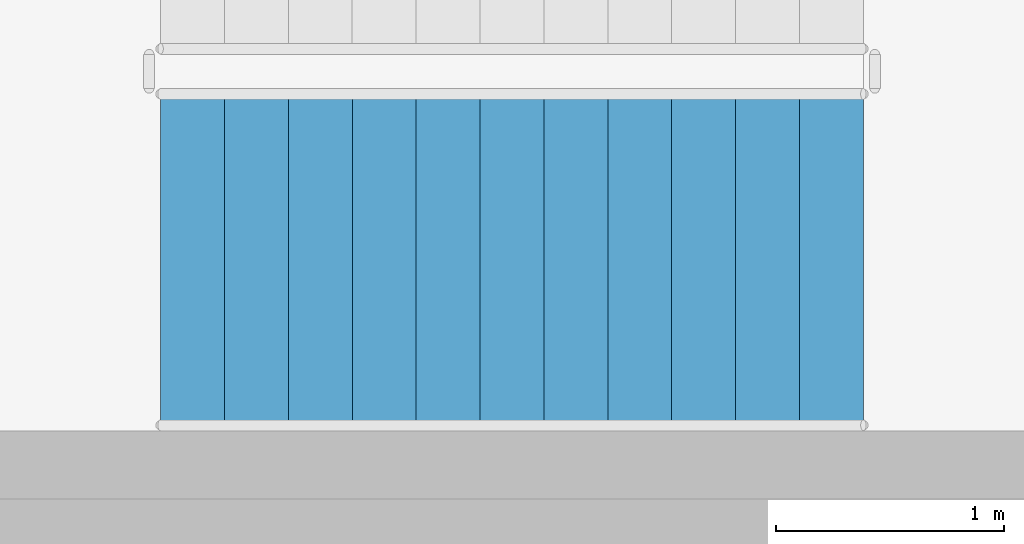
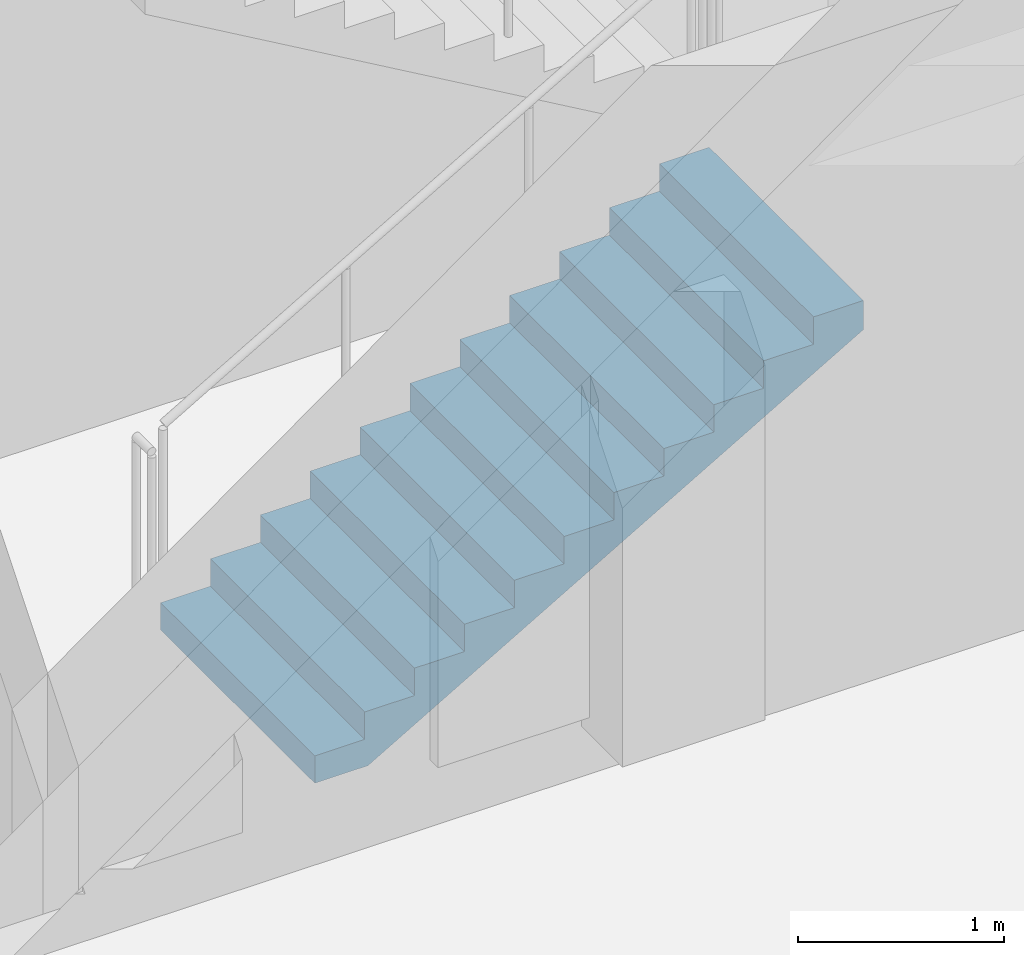
# One storey, part 83 of 95: 1 stair flight, 1 element without a shape of its own.
"""IFC4 building model written with IfcOpenShell, lengths in metres."""

from ifc_helpers import new_model, si_unit, direction, frame, origin, place, context, subcontext, project, spatial, triangles, material, type_object, element, aggregate, save


model = new_model("IFC4")

# Units and contexts
model_context = context("Model", 3, precision=1e-05, world=origin(), true_north=direction((0.0, 1.0)))
body_context = subcontext(model_context, "Body", "Model", "MODEL_VIEW")
ifc_project = project(units=[si_unit("LENGTHUNIT", "METRE"), si_unit("AREAUNIT", "SQUARE_METRE"), si_unit("VOLUMEUNIT", "CUBIC_METRE"), si_unit("PLANEANGLEUNIT", "RADIAN"), si_unit("MASSUNIT", "GRAM", prefix="KILO")], contexts=[model_context])

# Site, building, storey
site_placement = place(None, origin())
site = spatial("IfcSite", under=ifc_project, at=site_placement, CompositionType="ELEMENT")
building_placement = place(site_placement, origin())
building = spatial("IfcBuilding", under=site, at=building_placement, Name="Magnolia Steps Interchange", CompositionType="ELEMENT")
storey_placement = place(building_placement, frame((0.0, 0.0, 4.800048828125)))
storey = spatial("IfcBuildingStorey", under=building, at=storey_placement, Name="L01", CompositionType="ELEMENT", Elevation=4.800048828125)

# Stair, stair flight
ifc_material_1 = material(Name="Concrete C40", Category="concrete")
stair_type = type_object("IfcStairType", Name="Exit stair 1500", PredefinedType="HALF_TURN_STAIR", material=ifc_material_1)
stair_placement = place(storey_placement, origin())
stair = element("IfcStair", 1, at=stair_placement, inside=storey, type_object=stair_type, Name="L01 Stair 29", PredefinedType="HALF_TURN_STAIR")
ifc_material_2 = material(Name="Concrete C40", Category="concrete")
stair_flight_type = type_object("IfcStairFlightType", Name="Exit stair flight", PredefinedType="STRAIGHT", material=ifc_material_2)
stair_flight_placement = place(storey_placement, frame((112.85009765625, 97.60009765625, 0.0), z_axis=(0.0, 0.0, 1.0), x_axis=(1.0, 0.0, 0.0)))
stair_flight = element("IfcStairFlight", 2, at=stair_flight_placement, type_object=stair_flight_type, Name="Stair 29 flight 1", NumberOfRisers=12, NumberOfTreads=11, PredefinedType="STRAIGHT", RiserHeight=0.1625, TreadLength=0.28, context=body_context, shape_type="Tessellation", body=[
    triangles([(0.0, -0.75, 0.0), (0.298583984375, -0.75, 0.0), (3.080078125, -0.75, 1.6142578125), (3.080078125, -0.75, 1.78759765625), (2.800048828125, -0.75, 1.78759765625), (2.800048828125, -0.75, 1.625), (2.52001953125, -0.75, 1.625), (2.52001953125, -0.75, 1.46240234375), (2.239990234375, -0.75, 1.46240234375), (2.239990234375, -0.75, 1.300048828125), (1.9599609375, -0.75, 1.300048828125), (1.9599609375, -0.75, 1.137451171875), (1.679931640625, -0.75, 1.137451171875), (1.679931640625, -0.75, 0.97509765625), (1.39990234375, -0.75, 0.97509765625), (1.39990234375, -0.75, 0.8125), (1.1201171875, -0.75, 0.8125), (1.1201171875, -0.75, 0.64990234375), (0.840087890625, -0.75, 0.64990234375), (0.840087890625, -0.75, 0.487548828125), (0.56005859375, -0.75, 0.487548828125), (0.56005859375, -0.75, 0.324951171875), (0.280029296875, -0.75, 0.324951171875), (0.280029296875, -0.75, 0.16259765625), (0.0, -0.75, 0.16259765625), (0.0, 0.75, 0.0), (0.298583984375, 0.75, 0.0), (3.080078125, 0.75, 1.6142578125), (3.080078125, 0.75, 1.78759765625), (2.800048828125, 0.75, 1.78759765625), (2.800048828125, 0.75, 1.625), (2.52001953125, 0.75, 1.625), (2.52001953125, 0.75, 1.46240234375), (2.239990234375, 0.75, 1.46240234375), (2.239990234375, 0.75, 1.300048828125), (1.9599609375, 0.75, 1.300048828125), (1.9599609375, 0.75, 1.137451171875), (1.679931640625, 0.75, 1.137451171875), (1.679931640625, 0.75, 0.97509765625), (1.39990234375, 0.75, 0.97509765625), (1.39990234375, 0.75, 0.8125), (1.1201171875, 0.75, 0.8125), (1.1201171875, 0.75, 0.64990234375), (0.840087890625, 0.75, 0.64990234375), (0.840087890625, 0.75, 0.487548828125), (0.56005859375, 0.75, 0.487548828125), (0.56005859375, 0.75, 0.324951171875), (0.280029296875, 0.75, 0.324951171875), (0.280029296875, 0.75, 0.16259765625), (0.0, 0.75, 0.16259765625), (0.0, 0.0, 0.0), (0.0, 0.0, 0.0406494140625), (0.0, 0.0, 0.081298828125), (0.0, 0.0, 0.1219482421875), (0.0, 0.0, 0.16259765625), (0.0, -0.05, 0.0), (0.0, -0.05, 0.16259765625), (0.0, 0.05, 0.0), (0.0, 0.05, 0.16259765625), (0.046671549479166664, 0.0, 0.16259765625), (0.09334309895833333, 0.0, 0.16259765625), (0.1400146484375, 0.0, 0.16259765625), (0.18668619791666666, 0.0, 0.16259765625), (0.23335774739583334, 0.0, 0.16259765625), (0.280029296875, 0.0, 0.16259765625), (0.280029296875, -0.05, 0.16259765625), (0.280029296875, 0.05, 0.16259765625), (0.280029296875, 0.0, 0.20318603515625), (0.280029296875, 0.0, 0.2437744140625), (0.280029296875, 0.0, 0.28436279296875), (0.280029296875, 0.0, 0.324951171875), (0.280029296875, -0.05, 0.324951171875), (0.280029296875, 0.05, 0.324951171875), (0.3267008463541667, 0.0, 0.324951171875), (0.3733723958333333, 0.0, 0.324951171875), (0.4200439453125, 0.0, 0.324951171875), (0.46671549479166663, 0.0, 0.324951171875), (0.5133870442708334, 0.0, 0.324951171875), (0.56005859375, 0.0, 0.324951171875), (0.56005859375, -0.05, 0.324951171875), (0.56005859375, 0.05, 0.324951171875), (0.56005859375, 0.0, 0.3656005859375), (0.56005859375, 0.0, 0.40625), (0.56005859375, 0.0, 0.4468994140625), (0.56005859375, 0.0, 0.487548828125), (0.56005859375, -0.05, 0.487548828125), (0.56005859375, 0.05, 0.487548828125), (0.6067301432291666, 0.0, 0.487548828125), (0.6534016927083334, 0.0, 0.487548828125), (0.7000732421875, 0.0, 0.487548828125), (0.7467447916666666, 0.0, 0.487548828125), (0.7934163411458334, 0.0, 0.487548828125), (0.840087890625, 0.0, 0.487548828125), (0.840087890625, -0.05, 0.487548828125), (0.840087890625, 0.05, 0.487548828125), (0.840087890625, 0.0, 0.52813720703125), (0.840087890625, 0.0, 0.5687255859375), (0.840087890625, 0.0, 0.60931396484375), (0.840087890625, 0.0, 0.64990234375), (0.840087890625, -0.05, 0.64990234375), (0.840087890625, 0.05, 0.64990234375), (0.8867594401041666, 0.0, 0.64990234375), (0.9334309895833334, 0.0, 0.64990234375), (0.9801025390625, 0.0, 0.64990234375), (1.0267740885416667, 0.0, 0.64990234375), (1.0734456380208333, 0.0, 0.64990234375), (1.1201171875, 0.0, 0.64990234375), (1.1201171875, -0.05, 0.64990234375), (1.1201171875, 0.05, 0.64990234375), (1.1201171875, 0.0, 0.6905517578125), (1.1201171875, 0.0, 0.731201171875), (1.1201171875, 0.0, 0.7718505859375), (1.1201171875, 0.0, 0.8125), (1.1201171875, -0.05, 0.8125), (1.1201171875, 0.05, 0.8125), (1.1900634765625, 0.0, 0.8125), (1.260009765625, 0.0, 0.8125), (1.3299560546875, 0.0, 0.8125), (1.39990234375, 0.0, 0.8125), (1.39990234375, -0.05, 0.8125), (1.39990234375, 0.05, 0.8125), (1.39990234375, 0.0, 0.8531494140625), (1.39990234375, 0.0, 0.893798828125), (1.39990234375, 0.0, 0.9344482421875), (1.39990234375, 0.0, 0.97509765625), (1.39990234375, -0.05, 0.97509765625), (1.39990234375, 0.05, 0.97509765625), (1.4465738932291667, 0.0, 0.97509765625), (1.4932454427083333, 0.0, 0.97509765625), (1.5399169921875, 0.0, 0.97509765625), (1.5865885416666667, 0.0, 0.97509765625), (1.6332600911458333, 0.0, 0.97509765625), (1.679931640625, 0.0, 0.97509765625), (1.679931640625, -0.05, 0.97509765625), (1.679931640625, 0.05, 0.97509765625), (1.679931640625, 0.0, 1.01568603515625), (1.679931640625, 0.0, 1.0562744140625), (1.679931640625, 0.0, 1.09686279296875), (1.679931640625, 0.0, 1.137451171875), (1.679931640625, -0.05, 1.137451171875), (1.679931640625, 0.05, 1.137451171875), (1.7266031901041667, 0.0, 1.137451171875), (1.7732747395833333, 0.0, 1.137451171875), (1.8199462890625, 0.0, 1.137451171875), (1.8666178385416667, 0.0, 1.137451171875), (1.9132893880208333, 0.0, 1.137451171875), (1.9599609375, 0.0, 1.137451171875), (1.9599609375, -0.05, 1.137451171875), (1.9599609375, 0.05, 1.137451171875), (1.9599609375, 0.0, 1.1781005859375), (1.9599609375, 0.0, 1.21875), (1.9599609375, 0.0, 1.2593994140625), (1.9599609375, 0.0, 1.300048828125), (1.9599609375, -0.05, 1.300048828125), (1.9599609375, 0.05, 1.300048828125), (2.0066324869791665, 0.0, 1.300048828125), (2.0533040364583335, 0.0, 1.300048828125), (2.0999755859375, 0.0, 1.300048828125), (2.1466471354166665, 0.0, 1.300048828125), (2.1933186848958335, 0.0, 1.300048828125), (2.239990234375, 0.0, 1.300048828125), (2.239990234375, -0.05, 1.300048828125), (2.239990234375, 0.05, 1.300048828125), (2.239990234375, 0.0, 1.34063720703125), (2.239990234375, 0.0, 1.3812255859375), (2.239990234375, 0.0, 1.42181396484375), (2.239990234375, 0.0, 1.46240234375), (2.239990234375, -0.05, 1.46240234375), (2.239990234375, 0.05, 1.46240234375), (2.2866617838541665, 0.0, 1.46240234375), (2.3333333333333335, 0.0, 1.46240234375), (2.3800048828125, 0.0, 1.46240234375), (2.4266764322916665, 0.0, 1.46240234375), (2.4733479817708335, 0.0, 1.46240234375), (2.52001953125, 0.0, 1.46240234375), (2.52001953125, -0.05, 1.46240234375), (2.52001953125, 0.05, 1.46240234375), (2.52001953125, 0.0, 1.5030517578125), (2.52001953125, 0.0, 1.543701171875), (2.52001953125, 0.0, 1.5843505859375), (2.52001953125, 0.0, 1.625), (2.52001953125, -0.05, 1.625), (2.52001953125, 0.05, 1.625), (2.5666910807291665, 0.0, 1.625), (2.6133626302083335, 0.0, 1.625), (2.6600341796875, 0.0, 1.625), (2.7067057291666665, 0.0, 1.625), (2.7533772786458335, 0.0, 1.625), (2.800048828125, 0.0, 1.625), (2.800048828125, -0.05, 1.625), (2.800048828125, 0.05, 1.625), (2.800048828125, 0.0, 1.6656494140625), (2.800048828125, 0.0, 1.706298828125), (2.800048828125, 0.0, 1.7469482421875), (2.800048828125, 0.0, 1.78759765625), (2.800048828125, -0.05, 1.78759765625), (2.800048828125, 0.05, 1.78759765625), (2.8467203776041665, 0.0, 1.78759765625), (2.8933919270833335, 0.0, 1.78759765625), (2.9400634765625, 0.0, 1.78759765625), (2.9867350260416665, 0.0, 1.78759765625), (3.0334065755208335, 0.0, 1.78759765625), (3.080078125, 0.0, 1.78759765625), (3.080078125, -0.05, 1.78759765625), (3.080078125, 0.05, 1.78759765625), (3.080078125, 0.0, 1.7442626953125), (3.080078125, 0.0, 1.700927734375), (3.080078125, 0.0, 1.6575927734375), (3.080078125, 0.0, 1.6142578125), (3.080078125, -0.05, 1.6142578125), (3.080078125, 0.05, 1.6142578125), (3.0196108610733696, 0.0, 1.5791652513586956), (2.9591435971467392, 0.0, 1.5440726902173914), (2.898676333220109, 0.0, 1.508980129076087), (2.8382090692934785, 0.0, 1.4738875679347827), (2.7777418053668477, 0.0, 1.4387950067934783), (2.7172745414402173, 0.0, 1.4037024456521738), (2.656807277513587, 0.0, 1.3686098845108696), (2.5963400135869565, 0.0, 1.3335173233695652), (2.535872749660326, 0.0, 1.2984247622282608), (2.475405485733696, 0.0, 1.2633322010869565), (2.4149382218070654, 0.0, 1.228239639945652), (2.3544709578804346, 0.0, 1.193147078804348), (2.294003693953804, 0.0, 1.1580545176630435), (2.233536430027174, 0.0, 1.1229619565217392), (2.1730691661005435, 0.0, 1.0878693953804348), (2.112601902173913, 0.0, 1.0527768342391304), (2.0521346382472827, 0.0, 1.0176842730978262), (1.991667374320652, 0.0, 0.9825917119565217), (1.9312001103940217, 0.0, 0.9474991508152174), (1.8707328464673914, 0.0, 0.9124065896739131), (1.810265582540761, 0.0, 0.8773140285326086), (1.7497983186141304, 0.0, 0.8422214673913043), (1.6893310546875, 0.0, 0.80712890625), (1.6288637907608696, 0.0, 0.7720363451086957), (1.568396526834239, 0.0, 0.7369437839673914), (1.5079292629076086, 0.0, 0.7018512228260869), (1.4474619989809783, 0.0, 0.6667586616847826), (1.386994735054348, 0.0, 0.6316661005434783), (1.3265274711277173, 0.0, 0.5965735394021738), (1.266060207201087, 0.0, 0.5614809782608696), (1.2055929432744565, 0.0, 0.5263884171195652), (1.1451256793478262, 0.0, 0.491295855978261), (1.0846584154211956, 0.0, 0.45620329483695654), (1.0241911514945654, 0.0, 0.4211107336956521), (0.9637238875679346, 0.0, 0.3860181725543479), (0.9032566236413042, 0.0, 0.35092561141304346), (0.8427893597146738, 0.0, 0.315833050271739), (0.7823220957880435, 0.0, 0.2807404891304348), (0.7218548318614131, 0.0, 0.24564792798913038), (0.6613875679347827, 0.0, 0.21055536684782616), (0.6009203040081523, 0.0, 0.17546280570652173), (0.540453040081522, 0.0, 0.1403702445652173), (0.47998577615489113, 0.0, 0.10527768342391308), (0.41951851222826075, 0.0, 0.07018512228260865), (0.3590512483016304, 0.0, 0.035092561141304435), (0.298583984375, 0.0, 0.0), (0.298583984375, -0.05, 0.0), (0.298583984375, 0.05, 0.0), (0.24881998697916666, 0.0, 0.0), (0.19905598958333331, 0.0, 0.0), (0.1492919921875, 0.0, 0.0), (0.09952799479166666, 0.0, 0.0), (0.04976399739583334, 0.0, 0.0)], [[1, 2, 3], [3, 4, 5], [3, 5, 6], [3, 6, 7], [3, 7, 8], [8, 9, 10], [3, 8, 10], [10, 11, 12], [3, 10, 12], [12, 13, 14], [3, 12, 14], [14, 15, 16], [3, 14, 16], [16, 17, 18], [3, 16, 18], [18, 19, 20], [3, 18, 20], [20, 21, 22], [3, 20, 22], [1, 3, 22], [22, 23, 24], [1, 22, 24], [24, 25, 1], [26, 28, 27], [28, 30, 29], [28, 31, 30], [28, 32, 31], [28, 33, 32], [33, 35, 34], [28, 35, 33], [35, 37, 36], [28, 37, 35], [37, 39, 38], [28, 39, 37], [39, 41, 40], [28, 41, 39], [41, 43, 42], [28, 43, 41], [43, 45, 44], [28, 45, 43], [45, 47, 46], [28, 47, 45], [26, 47, 28], [47, 49, 48], [26, 49, 47], [49, 26, 50], [1, 25, 57], [1, 57, 56], [56, 52, 51], [56, 53, 52], [56, 57, 53], [57, 54, 53], [57, 55, 54], [26, 59, 50], [26, 58, 59], [58, 51, 52], [58, 52, 53], [58, 53, 59], [59, 53, 54], [59, 54, 55], [25, 24, 66], [25, 66, 57], [57, 60, 55], [57, 61, 60], [57, 62, 61], [57, 66, 62], [66, 63, 62], [66, 64, 63], [66, 65, 64], [50, 67, 49], [50, 59, 67], [59, 55, 60], [59, 60, 61], [59, 61, 62], [59, 62, 67], [67, 62, 63], [67, 63, 64], [67, 64, 65], [24, 23, 72], [24, 72, 66], [66, 68, 65], [66, 69, 68], [66, 72, 69], [72, 70, 69], [72, 71, 70], [49, 73, 48], [49, 67, 73], [67, 65, 68], [67, 68, 69], [67, 69, 73], [73, 69, 70], [73, 70, 71], [23, 22, 80], [23, 80, 72], [72, 74, 71], [72, 75, 74], [72, 76, 75], [72, 80, 76], [80, 77, 76], [80, 78, 77], [80, 79, 78], [48, 81, 47], [48, 73, 81], [73, 71, 74], [73, 74, 75], [73, 75, 76], [73, 76, 81], [81, 76, 77], [81, 77, 78], [81, 78, 79], [22, 21, 86], [22, 86, 80], [80, 82, 79], [80, 83, 82], [80, 86, 83], [86, 84, 83], [86, 85, 84], [47, 87, 46], [47, 81, 87], [81, 79, 82], [81, 82, 83], [81, 83, 87], [87, 83, 84], [87, 84, 85], [21, 20, 94], [21, 94, 86], [86, 88, 85], [86, 89, 88], [86, 90, 89], [86, 94, 90], [94, 91, 90], [94, 92, 91], [94, 93, 92], [46, 95, 45], [46, 87, 95], [87, 85, 88], [87, 88, 89], [87, 89, 90], [87, 90, 95], [95, 90, 91], [95, 91, 92], [95, 92, 93], [20, 19, 100], [20, 100, 94], [94, 96, 93], [94, 97, 96], [94, 100, 97], [100, 98, 97], [100, 99, 98], [45, 101, 44], [45, 95, 101], [95, 93, 96], [95, 96, 97], [95, 97, 101], [101, 97, 98], [101, 98, 99], [19, 18, 108], [19, 108, 100], [100, 102, 99], [100, 103, 102], [100, 104, 103], [100, 108, 104], [108, 105, 104], [108, 106, 105], [108, 107, 106], [44, 109, 43], [44, 101, 109], [101, 99, 102], [101, 102, 103], [101, 103, 104], [101, 104, 109], [109, 104, 105], [109, 105, 106], [109, 106, 107], [18, 17, 114], [18, 114, 108], [108, 110, 107], [108, 111, 110], [108, 114, 111], [114, 112, 111], [114, 113, 112], [43, 115, 42], [43, 109, 115], [109, 107, 110], [109, 110, 111], [109, 111, 115], [115, 111, 112], [115, 112, 113], [17, 16, 120], [17, 120, 114], [114, 116, 113], [114, 117, 116], [114, 120, 117], [120, 118, 117], [120, 119, 118], [42, 121, 41], [42, 115, 121], [115, 113, 116], [115, 116, 117], [115, 117, 121], [121, 117, 118], [121, 118, 119], [16, 15, 126], [16, 126, 120], [120, 122, 119], [120, 123, 122], [120, 126, 123], [126, 124, 123], [126, 125, 124], [41, 127, 40], [41, 121, 127], [121, 119, 122], [121, 122, 123], [121, 123, 127], [127, 123, 124], [127, 124, 125], [15, 14, 134], [15, 134, 126], [126, 128, 125], [126, 129, 128], [126, 130, 129], [126, 134, 130], [134, 131, 130], [134, 132, 131], [134, 133, 132], [40, 135, 39], [40, 127, 135], [127, 125, 128], [127, 128, 129], [127, 129, 130], [127, 130, 135], [135, 130, 131], [135, 131, 132], [135, 132, 133], [14, 13, 140], [14, 140, 134], [134, 136, 133], [134, 137, 136], [134, 140, 137], [140, 138, 137], [140, 139, 138], [39, 141, 38], [39, 135, 141], [135, 133, 136], [135, 136, 137], [135, 137, 141], [141, 137, 138], [141, 138, 139], [13, 12, 148], [13, 148, 140], [140, 142, 139], [140, 143, 142], [140, 144, 143], [140, 148, 144], [148, 145, 144], [148, 146, 145], [148, 147, 146], [38, 149, 37], [38, 141, 149], [141, 139, 142], [141, 142, 143], [141, 143, 144], [141, 144, 149], [149, 144, 145], [149, 145, 146], [149, 146, 147], [12, 11, 154], [12, 154, 148], [148, 150, 147], [148, 151, 150], [148, 154, 151], [154, 152, 151], [154, 153, 152], [37, 155, 36], [37, 149, 155], [149, 147, 150], [149, 150, 151], [149, 151, 155], [155, 151, 152], [155, 152, 153], [11, 10, 162], [11, 162, 154], [154, 156, 153], [154, 157, 156], [154, 158, 157], [154, 162, 158], [162, 159, 158], [162, 160, 159], [162, 161, 160], [36, 163, 35], [36, 155, 163], [155, 153, 156], [155, 156, 157], [155, 157, 158], [155, 158, 163], [163, 158, 159], [163, 159, 160], [163, 160, 161], [10, 9, 168], [10, 168, 162], [162, 164, 161], [162, 165, 164], [162, 168, 165], [168, 166, 165], [168, 167, 166], [35, 169, 34], [35, 163, 169], [163, 161, 164], [163, 164, 165], [163, 165, 169], [169, 165, 166], [169, 166, 167], [9, 8, 176], [9, 176, 168], [168, 170, 167], [168, 171, 170], [168, 172, 171], [168, 176, 172], [176, 173, 172], [176, 174, 173], [176, 175, 174], [34, 177, 33], [34, 169, 177], [169, 167, 170], [169, 170, 171], [169, 171, 172], [169, 172, 177], [177, 172, 173], [177, 173, 174], [177, 174, 175], [8, 7, 182], [8, 182, 176], [176, 178, 175], [176, 179, 178], [176, 182, 179], [182, 180, 179], [182, 181, 180], [33, 183, 32], [33, 177, 183], [177, 175, 178], [177, 178, 179], [177, 179, 183], [183, 179, 180], [183, 180, 181], [7, 6, 190], [7, 190, 182], [182, 184, 181], [182, 185, 184], [182, 186, 185], [182, 190, 186], [190, 187, 186], [190, 188, 187], [190, 189, 188], [32, 191, 31], [32, 183, 191], [183, 181, 184], [183, 184, 185], [183, 185, 186], [183, 186, 191], [191, 186, 187], [191, 187, 188], [191, 188, 189], [6, 5, 196], [6, 196, 190], [190, 192, 189], [190, 193, 192], [190, 196, 193], [196, 194, 193], [196, 195, 194], [31, 197, 30], [31, 191, 197], [191, 189, 192], [191, 192, 193], [191, 193, 197], [197, 193, 194], [197, 194, 195], [5, 4, 204], [5, 204, 196], [196, 198, 195], [196, 199, 198], [196, 200, 199], [196, 204, 200], [204, 201, 200], [204, 202, 201], [204, 203, 202], [30, 205, 29], [30, 197, 205], [197, 195, 198], [197, 198, 199], [197, 199, 200], [197, 200, 205], [205, 200, 201], [205, 201, 202], [205, 202, 203], [4, 3, 210], [4, 210, 204], [204, 206, 203], [204, 207, 206], [204, 210, 207], [210, 208, 207], [210, 209, 208], [29, 211, 28], [29, 205, 211], [205, 203, 206], [205, 206, 207], [205, 207, 211], [211, 207, 208], [211, 208, 209], [3, 2, 258], [3, 258, 210], [210, 212, 209], [210, 213, 212], [210, 214, 213], [210, 215, 214], [210, 216, 215], [210, 217, 216], [210, 218, 217], [210, 219, 218], [210, 220, 219], [210, 221, 220], [210, 222, 221], [210, 223, 222], [210, 224, 223], [210, 225, 224], [210, 226, 225], [210, 227, 226], [210, 228, 227], [210, 229, 228], [210, 230, 229], [210, 231, 230], [210, 232, 231], [210, 233, 232], [210, 234, 233], [210, 258, 234], [258, 235, 234], [258, 236, 235], [258, 237, 236], [258, 238, 237], [258, 239, 238], [258, 240, 239], [258, 241, 240], [258, 242, 241], [258, 243, 242], [258, 244, 243], [258, 245, 244], [258, 246, 245], [258, 247, 246], [258, 248, 247], [258, 249, 248], [258, 250, 249], [258, 251, 250], [258, 252, 251], [258, 253, 252], [258, 254, 253], [258, 255, 254], [258, 256, 255], [258, 257, 256], [28, 259, 27], [28, 211, 259], [211, 209, 212], [211, 212, 213], [211, 213, 214], [211, 214, 215], [211, 215, 216], [211, 216, 217], [211, 217, 218], [211, 218, 219], [211, 219, 220], [211, 220, 221], [211, 221, 222], [211, 222, 223], [211, 223, 224], [211, 224, 225], [211, 225, 226], [211, 226, 227], [211, 227, 228], [211, 228, 229], [211, 229, 230], [211, 230, 231], [211, 231, 232], [211, 232, 233], [211, 233, 234], [211, 234, 259], [259, 234, 235], [259, 235, 236], [259, 236, 237], [259, 237, 238], [259, 238, 239], [259, 239, 240], [259, 240, 241], [259, 241, 242], [259, 242, 243], [259, 243, 244], [259, 244, 245], [259, 245, 246], [259, 246, 247], [259, 247, 248], [259, 248, 249], [259, 249, 250], [259, 250, 251], [259, 251, 252], [259, 252, 253], [259, 253, 254], [259, 254, 255], [259, 255, 256], [259, 256, 257], [2, 1, 56], [2, 56, 258], [258, 260, 257], [258, 261, 260], [258, 262, 261], [258, 56, 262], [56, 263, 262], [56, 264, 263], [56, 51, 264], [27, 58, 26], [27, 259, 58], [259, 257, 260], [259, 260, 261], [259, 261, 262], [259, 262, 58], [58, 262, 263], [58, 263, 264], [58, 264, 51]], closed=True),
])
aggregate(stair, [stair_flight])

save(model, "model.ifc")
